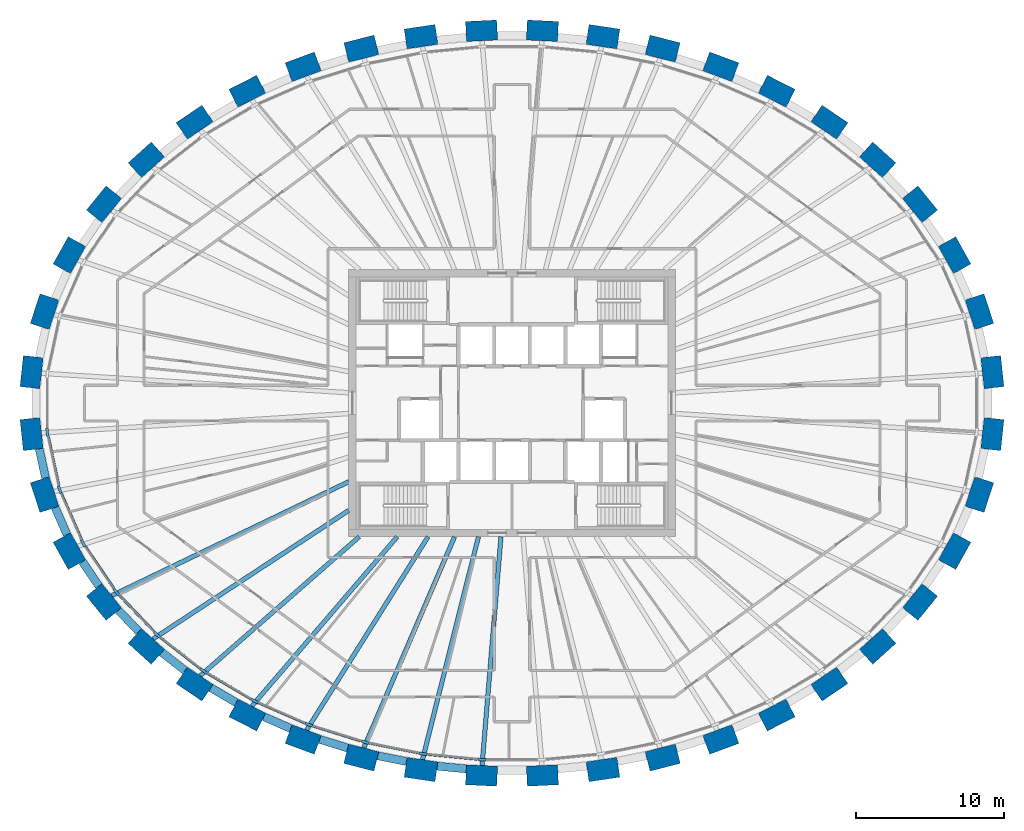
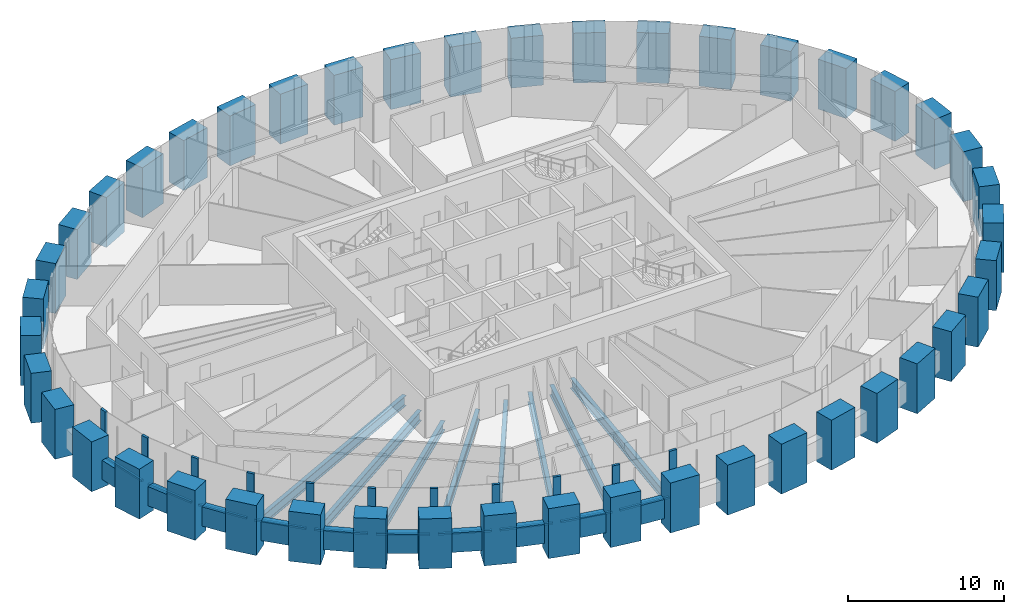
# One storey, part 1 of 12: 44 columns, 21 members, 18 beams, 1 element without a shape of its own.
"""IFC4 building model written with IfcOpenShell, lengths in metres."""

from ifc_helpers import new_model, si_unit, direction, frame, origin, origin_2d, place, context, subcontext, project, spatial, rectangle, i_section, extrude, source, transform, mapped, material, material_profile, profile_set, type_object, element, aggregate, save


model = new_model("IFC4")

# Units and contexts
model_context = context("Model", 3, precision=1e-05, world=origin(), true_north=direction((0.0, 1.0)))
body_context = subcontext(model_context, "Body", "Model", "MODEL_VIEW")
ifc_project = project(units=[si_unit("LENGTHUNIT", "METRE"), si_unit("AREAUNIT", "SQUARE_METRE"), si_unit("VOLUMEUNIT", "CUBIC_METRE"), si_unit("PLANEANGLEUNIT", "RADIAN"), si_unit("MASSUNIT", "GRAM", prefix="KILO")], contexts=[model_context])

# Site, building, storey
site_placement = place(None, origin())
site = spatial("IfcSite", under=ifc_project, at=site_placement, CompositionType="ELEMENT")
building_placement = place(site_placement, origin())
building = spatial("IfcBuilding", under=site, at=building_placement, Name="Embergate Tower", CompositionType="ELEMENT")
storey_placement = place(building_placement, frame((0.0, 0.0, 269.5)))
storey = spatial("IfcBuildingStorey", under=building, at=storey_placement, Name="L62", CompositionType="ELEMENT", Elevation=269.5)

# Columns
ifc_material_1 = material(Name="Concrete C60", Category="concrete")
ifc_material_profile_1 = material_profile(ifc_material_1, rectangle(XDim=1.35009765625, YDim=2.10009765625, at=origin_2d()), Name="RC 1350x2100")
ifc_profile_set_1 = profile_set([ifc_material_profile_1], Name="Concrete C60")
column_type = type_object("IfcColumnType", Name="Ring column RC 1350x2100 C60", PredefinedType="COLUMN", material=ifc_profile_set_1)
shared_shape_1 = source(origin(), body_context, "Body", "SweptSolid", [
    extrude(rectangle(XDim=1.35009765625, YDim=2.10009765625, at=origin_2d()), origin(), (0.0, 0.0, 1.0), 3.89990234375),
])
for number, where, z_axis, x_axis, name in (
    (1, (32.360107421875, 2.0849609375, -1.39990234375), (0.0, 0.0, 1.0), (0.99428589498, 0.106749983816, 0.0), "COL-L62-00"),
    (2, (31.48388671875, 6.158935546875, -1.39990234375), (0.0, 0.0, 1.0), (0.950754033697, 0.309946394413, 0.0), "COL-L62-01"),
    (3, (29.81396484375, 9.966064453125, -1.39990234375), (0.0, 0.0, 1.0), (0.873491969053, 0.486838556403, 0.0), "COL-L62-02"),
    (4, (27.48291015625, 13.39501953125, -1.39990234375), (0.0, 0.0, 1.0), (0.775914301615, 0.630838328377, 0.0), "COL-L62-03"),
    (5, (24.6298828125, 16.386962890625, -1.39990234375), (0.0, 0.0, 1.0), (0.669208424634, 0.74307475021, 0.0), "COL-L62-04"),
    (6, (21.37890625, 18.924072265625, -1.39990234375), (0.0, 0.0, 1.0), (0.560393279442, 0.828226643109, 0.0), "COL-L62-05"),
    (7, (17.8310546875, 21.010009765625, -1.39990234375), (0.0, 0.0, 1.0), (0.452994952881, 0.891513080478, 0.0), "COL-L62-06"),
    (8, (14.06689453125, 22.656005859375, -1.39990234375), (0.0, 0.0, 1.0), (0.348343015724, 0.93736713373, 0.0), "COL-L62-07"),
    (9, (10.14892578125, 23.876953125, -1.39990234375), (0.0, 0.0, 1.0), (0.246491603437, 0.969144926951, 0.0), "COL-L62-08"),
    (10, (6.1279296875, 24.68310546875, -1.39990234375), (0.0, 0.0, 1.0), (0.146929011949, 0.989147039346, 0.0), "COL-L62-09"),
    (11, (2.049072265625, 25.083984375, -1.39990234375), (0.0, 0.0, 1.0), (0.048814904854, 0.998807841912, 0.0), "COL-L62-10"),
    (12, (-2.049072265625, 25.083984375, -1.39990234375), (0.0, 0.0, 1.0), (-0.048814904854, 0.998807841912, 0.0), "COL-L62-11"),
    (13, (-6.1279296875, 24.68310546875, -1.39990234375), (0.0, 0.0, 1.0), (-0.146929011949, 0.989147039346, 0.0), "COL-L62-12"),
    (14, (-10.14892578125, 23.876953125, -1.39990234375), (0.0, 0.0, 1.0), (-0.246491603437, 0.969144926951, 0.0), "COL-L62-13"),
    (15, (-14.06689453125, 22.656005859375, -1.39990234375), (0.0, 0.0, 1.0), (-0.348343015724, 0.93736713373, 0.0), "COL-L62-14"),
    (16, (-17.8310546875, 21.010009765625, -1.39990234375), (0.0, 0.0, 1.0), (-0.452994952881, 0.891513080478, 0.0), "COL-L62-15"),
    (17, (-21.37890625, 18.924072265625, -1.39990234375), (0.0, 0.0, 1.0), (-0.560393279442, 0.828226643109, 0.0), "COL-L62-16"),
    (18, (-24.6298828125, 16.386962890625, -1.39990234375), (0.0, 0.0, 1.0), (-0.669208424634, 0.74307475021, 0.0), "COL-L62-17"),
    (19, (-27.48291015625, 13.39501953125, -1.39990234375), (0.0, 0.0, 1.0), (-0.775914301615, 0.630838328377, 0.0), "COL-L62-18"),
    (20, (-29.81396484375, 9.966064453125, -1.39990234375), (0.0, 0.0, 1.0), (-0.873491969053, 0.486838556403, 0.0), "COL-L62-19"),
    (21, (-31.48388671875, 6.158935546875, -1.39990234375), (0.0, 0.0, 1.0), (-0.950754033697, 0.309946394413, 0.0), "COL-L62-20"),
    (22, (-32.360107421875, 2.0849609375, -1.39990234375), (0.0, 0.0, 1.0), (-0.99428589498, 0.106749983816, 0.0), "COL-L62-21"),
    (23, (-32.360107421875, -2.0849609375, -1.39990234375), (0.0, 0.0, 1.0), (-0.99428589498, -0.106749983816, 0.0), "COL-L62-22"),
    (24, (-31.48388671875, -6.158935546875, -1.39990234375), (0.0, 0.0, 1.0), (-0.950754033697, -0.309946394413, 0.0), "COL-L62-23"),
    (25, (-29.81396484375, -9.966064453125, -1.39990234375), (0.0, 0.0, 1.0), (-0.873491969053, -0.486838556403, 0.0), "COL-L62-24"),
    (26, (-27.48291015625, -13.39501953125, -1.39990234375), (0.0, 0.0, 1.0), (-0.775914301615, -0.630838328377, 0.0), "COL-L62-25"),
    (27, (-24.6298828125, -16.386962890625, -1.39990234375), (0.0, 0.0, 1.0), (-0.669208424634, -0.74307475021, 0.0), "COL-L62-26"),
    (28, (-21.37890625, -18.924072265625, -1.39990234375), (0.0, 0.0, 1.0), (-0.560393279442, -0.828226643109, 0.0), "COL-L62-27"),
    (29, (-17.8310546875, -21.010009765625, -1.39990234375), (0.0, 0.0, 1.0), (-0.452994952881, -0.891513080478, 0.0), "COL-L62-28"),
    (30, (-14.06689453125, -22.656005859375, -1.39990234375), (0.0, 0.0, 1.0), (-0.348343015724, -0.93736713373, 0.0), "COL-L62-29"),
    (31, (-10.14892578125, -23.876953125, -1.39990234375), (0.0, 0.0, 1.0), (-0.246491603437, -0.969144926951, 0.0), "COL-L62-30"),
    (32, (-6.1279296875, -24.68310546875, -1.39990234375), (0.0, 0.0, 1.0), (-0.146929011949, -0.989147039346, 0.0), "COL-L62-31"),
    (33, (-2.049072265625, -25.083984375, -1.39990234375), (0.0, 0.0, 1.0), (-0.048814904854, -0.998807841912, 0.0), "COL-L62-32"),
    (34, (2.049072265625, -25.083984375, -1.39990234375), (0.0, 0.0, 1.0), (0.048814904854, -0.998807841912, 0.0), "COL-L62-33"),
    (35, (6.1279296875, -24.68310546875, -1.39990234375), (0.0, 0.0, 1.0), (0.146929011949, -0.989147039346, 0.0), "COL-L62-34"),
    (36, (10.14892578125, -23.876953125, -1.39990234375), (0.0, 0.0, 1.0), (0.246491603437, -0.969144926951, 0.0), "COL-L62-35"),
    (37, (14.06689453125, -22.656005859375, -1.39990234375), (0.0, 0.0, 1.0), (0.348343015724, -0.93736713373, 0.0), "COL-L62-36"),
    (38, (17.8310546875, -21.010009765625, -1.39990234375), (0.0, 0.0, 1.0), (0.452994952881, -0.891513080478, 0.0), "COL-L62-37"),
    (39, (21.37890625, -18.924072265625, -1.39990234375), (0.0, 0.0, 1.0), (0.560393279442, -0.828226643109, 0.0), "COL-L62-38"),
    (40, (24.6298828125, -16.386962890625, -1.39990234375), (0.0, 0.0, 1.0), (0.669208424634, -0.74307475021, 0.0), "COL-L62-39"),
    (41, (27.48291015625, -13.39501953125, -1.39990234375), (0.0, 0.0, 1.0), (0.775914301615, -0.630838328377, 0.0), "COL-L62-40"),
    (42, (29.81396484375, -9.966064453125, -1.39990234375), (0.0, 0.0, 1.0), (0.873491969053, -0.486838556403, 0.0), "COL-L62-41"),
    (43, (31.48388671875, -6.158935546875, -1.39990234375), (0.0, 0.0, 1.0), (0.950754033697, -0.309946394413, 0.0), "COL-L62-42"),
    (44, (32.360107421875, -2.0849609375, -1.39990234375), (0.0, 0.0, 1.0), (0.99428589498, -0.106749983816, 0.0), "COL-L62-43"),
):
    element("IfcColumn", number, at=place(storey_placement, frame(where, z_axis=z_axis, x_axis=x_axis)), inside=storey, type_object=column_type, Name=name, PredefinedType="COLUMN", context=body_context, shape_type="MappedRepresentation", body=[
        mapped(shared_shape_1, transform((0.0, 0.0, 0.0))),
    ])

# Beams
ifc_material_profile_2 = material_profile(ifc_material_1, rectangle(XDim=0.550048828125, YDim=1.5, at=origin_2d()), Name="RC 550x1500")
ifc_profile_set_2 = profile_set([ifc_material_profile_2], Name="Concrete C60")
beam_type_1 = type_object("IfcBeamType", Name="Spandrel beam RC 550x1500 C60", PredefinedType="BEAM", material=ifc_profile_set_2)
shared_shape_2 = source(origin(), body_context, "Body", "SweptSolid", [
    extrude(rectangle(XDim=0.550048828125, YDim=1.5, at=origin_2d()), origin(), (0.0, 0.0, 1.0), 1.994384765625),
])
beam_1_placement = place(storey_placement, frame((-31.842041015625, -3.0849609375, 0.0), z_axis=(0.210055720301, -0.977689416108, 0.0), x_axis=(0.977689416108, 0.210055720301, 0.0)))
element("IfcBeam", 45, at=beam_1_placement, inside=storey, type_object=beam_type_1, Name="SPN-L62-22", PredefinedType="BEAM", context=body_context, shape_type="MappedRepresentation", body=[
    mapped(shared_shape_2, transform((0.0, 0.0, 0.0))),
])
shared_shape_3 = source(origin(), body_context, "Body", "SweptSolid", [
    extrude(rectangle(XDim=0.550048828125, YDim=1.5, at=origin_2d()), origin(), (0.0, 0.0, 1.0), 1.989990234375),
])
beam_2_placement = place(storey_placement, frame((-30.777099609375, -7.032958984375, 0.0), z_axis=(0.402047764255, -0.915618695341, 0.0), x_axis=(0.915618695341, 0.402047764255, 0.0)))
element("IfcBeam", 46, at=beam_2_placement, inside=storey, type_object=beam_type_1, Name="SPN-L62-23", PredefinedType="BEAM", context=body_context, shape_type="MappedRepresentation", body=[
    mapped(shared_shape_3, transform((0.0, 0.0, 0.0))),
])
shared_shape_4 = source(origin(), body_context, "Body", "SweptSolid", [
    extrude(rectangle(XDim=0.550048828125, YDim=1.5, at=origin_2d()), origin(), (0.0, 0.0, 1.0), 1.982421875),
])
beam_3_placement = place(storey_placement, frame((-28.943115234375, -10.68310546875, 0.0), z_axis=(0.56257611142, -0.82674549824, 0.0), x_axis=(0.82674549824, 0.56257611142, 0.0)))
element("IfcBeam", 47, at=beam_3_placement, inside=storey, type_object=beam_type_1, Name="SPN-L62-24", PredefinedType="BEAM", context=body_context, shape_type="MappedRepresentation", body=[
    mapped(shared_shape_4, transform((0.0, 0.0, 0.0))),
])
shared_shape_5 = source(origin(), body_context, "Body", "SweptSolid", [
    extrude(rectangle(XDim=0.550048828125, YDim=1.5, at=origin_2d()), origin(), (0.0, 0.0, 1.0), 1.97900390625),
])
beam_4_placement = place(storey_placement, frame((-26.509033203125, -13.9560546875, 0.0), z_axis=(0.690255649164, -0.723565573253, 0.0), x_axis=(0.723565573253, 0.690255649164, 0.0)))
element("IfcBeam", 48, at=beam_4_placement, inside=storey, type_object=beam_type_1, Name="SPN-L62-25", PredefinedType="BEAM", context=body_context, shape_type="MappedRepresentation", body=[
    mapped(shared_shape_5, transform((0.0, 0.0, 0.0))),
])
shared_shape_6 = source(origin(), body_context, "Body", "SweptSolid", [
    extrude(rectangle(XDim=0.550048828125, YDim=1.5, at=origin_2d()), origin(), (0.0, 0.0, 1.0), 1.974853515625),
])
beam_5_placement = place(storey_placement, frame((-23.5869140625, -16.797119140625, 0.0), z_axis=(0.788385979859, -0.61518090572, 0.0), x_axis=(0.61518090572, 0.788385979859, 0.0)))
element("IfcBeam", 49, at=beam_5_placement, inside=storey, type_object=beam_type_1, Name="SPN-L62-26", PredefinedType="BEAM", context=body_context, shape_type="MappedRepresentation", body=[
    mapped(shared_shape_6, transform((0.0, 0.0, 0.0))),
])
shared_shape_7 = source(origin(), body_context, "Body", "SweptSolid", [
    extrude(rectangle(XDim=0.550048828125, YDim=1.5, at=origin_2d()), origin(), (0.0, 0.0, 1.0), 1.969482421875),
])
beam_6_placement = place(storey_placement, frame((-20.281982421875, -19.176025390625, 0.0), z_axis=(0.862106236571, -0.506727576578, 0.0), x_axis=(0.506727576578, 0.862106236571, 0.0)))
element("IfcBeam", 50, at=beam_6_placement, inside=storey, type_object=beam_type_1, Name="SPN-L62-27", PredefinedType="BEAM", context=body_context, shape_type="MappedRepresentation", body=[
    mapped(shared_shape_7, transform((0.0, 0.0, 0.0))),
])
shared_shape_8 = source(origin(), body_context, "Body", "SweptSolid", [
    extrude(rectangle(XDim=0.550048828125, YDim=1.5, at=origin_2d()), origin(), (0.0, 0.0, 1.0), 1.96630859375),
])
beam_7_placement = place(storey_placement, frame((-16.714111328125, -21.12890625, 0.0), z_axis=(0.916393681964, -0.400278177842, 0.0), x_axis=(0.400278177842, 0.916393681964, 0.0)))
element("IfcBeam", 51, at=beam_7_placement, inside=storey, type_object=beam_type_1, Name="SPN-L62-28", PredefinedType="BEAM", context=body_context, shape_type="MappedRepresentation", body=[
    mapped(shared_shape_8, transform((0.0, 0.0, 0.0))),
])
shared_shape_9 = source(origin(), body_context, "Body", "SweptSolid", [
    extrude(rectangle(XDim=0.550048828125, YDim=1.5, at=origin_2d()), origin(), (0.0, 0.0, 1.0), 1.96484375),
])
beam_8_placement = place(storey_placement, frame((-12.945068359375, -22.65087890625, 0.0), z_axis=(0.954771364399, -0.297340951979, 0.0), x_axis=(0.297340951979, 0.954771364399, 0.0)))
element("IfcBeam", 52, at=beam_8_placement, inside=storey, type_object=beam_type_1, Name="SPN-L62-29", PredefinedType="BEAM", context=body_context, shape_type="MappedRepresentation", body=[
    mapped(shared_shape_9, transform((0.0, 0.0, 0.0))),
])
shared_shape_10 = source(origin(), body_context, "Body", "SweptSolid", [
    extrude(rectangle(XDim=0.550048828125, YDim=1.5, at=origin_2d()), origin(), (0.0, 0.0, 1.0), 1.963134765625),
])
beam_9_placement = place(storey_placement, frame((-9.033935546875, -23.7548828125, 0.0), z_axis=(0.980580675691, -0.196116135138, 0.0), x_axis=(0.196116135138, 0.980580675691, 0.0)))
element("IfcBeam", 53, at=beam_9_placement, inside=storey, type_object=beam_type_1, Name="SPN-L62-30", PredefinedType="BEAM", context=body_context, shape_type="MappedRepresentation", body=[
    mapped(shared_shape_10, transform((0.0, 0.0, 0.0))),
])
shared_shape_11 = source(origin(), body_context, "Body", "SweptSolid", [
    extrude(rectangle(XDim=0.550048828125, YDim=1.5, at=origin_2d()), origin(), (0.0, 0.0, 1.0), 1.96240234375),
])
beam_10_placement = place(storey_placement, frame((-5.031982421875, -24.449951171875, 0.0), z_axis=(0.99519482752, -0.097914530474, 0.0), x_axis=(0.097914530474, 0.99519482752, 0.0)))
element("IfcBeam", 54, at=beam_10_placement, inside=storey, type_object=beam_type_1, Name="SPN-L62-31", PredefinedType="BEAM", context=body_context, shape_type="MappedRepresentation", body=[
    mapped(shared_shape_11, transform((0.0, 0.0, 0.0))),
])
ifc_material_2 = material(Name="Steel Q355B", Category="steel")
ifc_material_profile_3 = material_profile(ifc_material_2, i_section(OverallWidth=0.300048828125, OverallDepth=0.800048828125, WebThickness=0.013916015625, FlangeThickness=0.02587890625, FilletRadius=0.028076171875, at=origin_2d()), Name="HN 800x300x14x26")
ifc_profile_set_3 = profile_set([ifc_material_profile_3], Name="Steel Q355 grade B")
beam_type_2 = type_object("IfcBeamType", Name="Radial girder HN 800x300x14x26", PredefinedType="BEAM", material=ifc_profile_set_3)
shared_shape_12 = source(origin(), body_context, "Body", "SweptSolid", [
    extrude(i_section(OverallWidth=0.300048828125, OverallDepth=0.800048828125, WebThickness=0.013916015625, FlangeThickness=0.02587890625, FilletRadius=0.028076171875, at=origin_2d()), origin(), (0.0, 0.0, 1.0), 17.70947265625),
])
beam_11_placement = place(storey_placement, frame((-26.958984375, -12.968994140625, -0.60009765625), z_axis=(0.901155084862, 0.433496843157, 0.0), x_axis=(-0.433496843157, 0.901155084862, 0.0)))
element("IfcBeam", 55, at=beam_11_placement, inside=storey, type_object=beam_type_2, Name="GIR-L62-25", PredefinedType="BEAM", context=body_context, shape_type="MappedRepresentation", body=[
    mapped(shared_shape_12, transform((0.0, 0.0, 0.0))),
])
shared_shape_13 = source(origin(), body_context, "Body", "SweptSolid", [
    extrude(i_section(OverallWidth=0.300048828125, OverallDepth=0.800048828125, WebThickness=0.013916015625, FlangeThickness=0.02587890625, FilletRadius=0.028076171875, at=origin_2d()), origin(), (0.0, 0.0, 1.0), 15.767578125),
])
beam_12_placement = place(storey_placement, frame((-24.177978515625, -15.885009765625, -0.60009765625), z_axis=(0.835759482959, 0.549095698986, 0.0), x_axis=(-0.549095698986, 0.835759482959, 0.0)))
element("IfcBeam", 56, at=beam_12_placement, inside=storey, type_object=beam_type_2, Name="GIR-L62-26", PredefinedType="BEAM", context=body_context, shape_type="MappedRepresentation", body=[
    mapped(shared_shape_13, transform((0.0, 0.0, 0.0))),
])
ifc_material_profile_4 = material_profile(ifc_material_2, i_section(OverallWidth=0.300048828125, OverallDepth=0.699951171875, WebThickness=0.012939453125, FlangeThickness=0.02392578125, FilletRadius=0.01806640625, at=origin_2d()), Name="HN 700x300x13x24")
ifc_profile_set_4 = profile_set([ifc_material_profile_4], Name="Steel Q355 grade B")
beam_type_3 = type_object("IfcBeamType", Name="Radial girder HN 700x300x13x24", PredefinedType="BEAM", material=ifc_profile_set_4)
shared_shape_14 = source(origin(), body_context, "Body", "SweptSolid", [
    extrude(i_section(OverallWidth=0.300048828125, OverallDepth=0.699951171875, WebThickness=0.012939453125, FlangeThickness=0.02392578125, FilletRadius=0.01806640625, at=origin_2d()), origin(), (0.0, 0.0, 1.0), 14.226318359375),
])
beam_13_placement = place(storey_placement, frame((-21.0009765625, -18.364990234375, -0.550048828125), z_axis=(0.752763768185, 0.658290748308, 0.0), x_axis=(-0.658290748308, 0.752763768185, 0.0)))
element("IfcBeam", 57, at=beam_13_placement, inside=storey, type_object=beam_type_3, Name="GIR-L62-27", PredefinedType="BEAM", context=body_context, shape_type="MappedRepresentation", body=[
    mapped(shared_shape_14, transform((0.0, 0.0, 0.0))),
])
shared_shape_15 = source(origin(), body_context, "Body", "SweptSolid", [
    extrude(i_section(OverallWidth=0.300048828125, OverallDepth=0.800048828125, WebThickness=0.013916015625, FlangeThickness=0.02587890625, FilletRadius=0.028076171875, at=origin_2d()), origin(), (0.0, 0.0, 1.0), 15.03662109375),
])
beam_14_placement = place(storey_placement, frame((-17.52490234375, -20.407958984375, -0.60009765625), z_axis=(0.651467693725, 0.758676376351, 0.0), x_axis=(-0.758676376351, 0.651467693725, 0.0)))
element("IfcBeam", 58, at=beam_14_placement, inside=storey, type_object=beam_type_2, Name="GIR-L62-28", PredefinedType="BEAM", context=body_context, shape_type="MappedRepresentation", body=[
    mapped(shared_shape_15, transform((0.0, 0.0, 0.0))),
])
shared_shape_16 = source(origin(), body_context, "Body", "SweptSolid", [
    extrude(i_section(OverallWidth=0.300048828125, OverallDepth=0.800048828125, WebThickness=0.013916015625, FlangeThickness=0.02587890625, FilletRadius=0.028076171875, at=origin_2d()), origin(), (0.0, 0.0, 1.0), 15.37841796875),
])
beam_15_placement = place(storey_placement, frame((-13.83203125, -22.02294921875, -0.60009765625), z_axis=(0.53184995305, 0.84683860767, 0.0), x_axis=(-0.84683860767, 0.53184995305, 0.0)))
element("IfcBeam", 59, at=beam_15_placement, inside=storey, type_object=beam_type_2, Name="GIR-L62-29", PredefinedType="BEAM", context=body_context, shape_type="MappedRepresentation", body=[
    mapped(shared_shape_16, transform((0.0, 0.0, 0.0))),
])
shared_shape_17 = source(origin(), body_context, "Body", "SweptSolid", [
    extrude(i_section(OverallWidth=0.300048828125, OverallDepth=0.800048828125, WebThickness=0.013916015625, FlangeThickness=0.02587890625, FilletRadius=0.028076171875, at=origin_2d()), origin(), (0.0, 0.0, 1.0), 15.4814453125),
])
beam_16_placement = place(storey_placement, frame((-9.98291015625, -23.222900390625, -0.60009765625), z_axis=(0.394927796759, 0.918712161314, 0.0), x_axis=(-0.918712161314, 0.394927796759, 0.0)))
element("IfcBeam", 60, at=beam_16_placement, inside=storey, type_object=beam_type_2, Name="GIR-L62-30", PredefinedType="BEAM", context=body_context, shape_type="MappedRepresentation", body=[
    mapped(shared_shape_17, transform((0.0, 0.0, 0.0))),
])
shared_shape_18 = source(origin(), body_context, "Body", "SweptSolid", [
    extrude(i_section(OverallWidth=0.300048828125, OverallDepth=0.800048828125, WebThickness=0.013916015625, FlangeThickness=0.02587890625, FilletRadius=0.028076171875, at=origin_2d()), origin(), (0.0, 0.0, 1.0), 15.48095703125),
])
beam_17_placement = place(storey_placement, frame((-6.029052734375, -24.014892578125, -0.60009765625), z_axis=(0.243526249663, 0.969894306471, 0.0), x_axis=(-0.969894306471, 0.243526249663, 0.0)))
element("IfcBeam", 61, at=beam_17_placement, inside=storey, type_object=beam_type_2, Name="GIR-L62-31", PredefinedType="BEAM", context=body_context, shape_type="MappedRepresentation", body=[
    mapped(shared_shape_18, transform((0.0, 0.0, 0.0))),
])
shared_shape_19 = source(origin(), body_context, "Body", "SweptSolid", [
    extrude(i_section(OverallWidth=0.300048828125, OverallDepth=0.800048828125, WebThickness=0.013916015625, FlangeThickness=0.02587890625, FilletRadius=0.028076171875, at=origin_2d()), origin(), (0.0, 0.0, 1.0), 15.46240234375),
])
beam_18_placement = place(storey_placement, frame((-2.01611328125, -24.409912109375, -0.60009765625), z_axis=(0.082341147883, 0.99660420196, 0.0), x_axis=(-0.99660420196, 0.082341147883, 0.0)))
element("IfcBeam", 62, at=beam_18_placement, inside=storey, type_object=beam_type_2, Name="GIR-L62-32", PredefinedType="BEAM", context=body_context, shape_type="MappedRepresentation", body=[
    mapped(shared_shape_19, transform((0.0, 0.0, 0.0))),
])

# Curtain wall, members
ifc_material_3 = material(Name="Aluminium and glass", Category="aluminium")
curtain_wall_type = type_object("IfcCurtainWallType", Name="Recessed office glazing", PredefinedType="NOTDEFINED", material=ifc_material_3)
curtain_wall_placement = place(storey_placement, origin())
curtain_wall = element("IfcCurtainWall", 63, at=curtain_wall_placement, inside=storey, type_object=curtain_wall_type, Name="Recessed office glazing ring", ObjectType="RECESSED OFFICE GLAZING", PredefinedType="USERDEFINED")
ifc_material_4 = material(Name="Aluminium, thermally broken", Category="aluminium")
ifc_material_profile_5 = material_profile(ifc_material_4, rectangle(XDim=0.179931640625, YDim=0.52001953125, at=origin_2d()), Name="AL 520x180")
ifc_profile_set_5 = profile_set([ifc_material_profile_5], Name="Aluminium, thermally broken")
member_type_1 = type_object("IfcMemberType", Name="Office mullion", PredefinedType="MULLION", material=ifc_profile_set_5)
shared_shape_20 = source(origin(), body_context, "Body", "SweptSolid", [
    extrude(rectangle(XDim=0.179931640625, YDim=0.52001953125, at=origin_2d()), origin(), (0.0, 0.0, 1.0), 3.699951171875),
])
member_1_placement = place(storey_placement, frame((-31.301513671875, -1.971435546875, 0.0), z_axis=(0.0, 0.0, 1.0), x_axis=(0.994384215926, 0.105830199459, 0.0)))
member_1 = element("IfcMember", 64, at=member_1_placement, type_object=member_type_1, Name="CW mullion 23", PredefinedType="MULLION", context=body_context, shape_type="MappedRepresentation", body=[
    mapped(shared_shape_20, transform((0.0, 0.0, 0.0))),
])
member_2_placement = place(storey_placement, frame((-30.47119140625, -5.82861328125, 0.0), z_axis=(0.0, 0.0, 1.0), x_axis=(0.951492965233, 0.307670500881, 0.0)))
member_2 = element("IfcMember", 65, at=member_2_placement, type_object=member_type_1, Name="CW mullion 24", PredefinedType="MULLION", context=body_context, shape_type="MappedRepresentation", body=[
    mapped(shared_shape_20, transform((0.0, 0.0, 0.0))),
])
member_3_placement = place(storey_placement, frame((-28.8837890625, -9.447998046875, 0.0), z_axis=(0.0, 0.0, 1.0), x_axis=(0.874992601244, 0.484136290489, 0.0)))
member_3 = element("IfcMember", 66, at=member_3_placement, type_object=member_type_1, Name="CW mullion 25", PredefinedType="MULLION", context=body_context, shape_type="MappedRepresentation", body=[
    mapped(shared_shape_20, transform((0.0, 0.0, 0.0))),
])
member_4_placement = place(storey_placement, frame((-26.656494140625, -12.72314453125, 0.0), z_axis=(0.0, 0.0, 1.0), x_axis=(0.777861596203, 0.628435626897, 0.0)))
member_4 = element("IfcMember", 67, at=member_4_placement, type_object=member_type_1, Name="CW mullion 26", PredefinedType="MULLION", context=body_context, shape_type="MappedRepresentation", body=[
    mapped(shared_shape_20, transform((0.0, 0.0, 0.0))),
])
member_5_placement = place(storey_placement, frame((-23.9169921875, -15.595703125, 0.0), z_axis=(0.0, 0.0, 1.0), x_axis=(0.671216184057, 0.741261650337, 0.0)))
member_5 = element("IfcMember", 68, at=member_5_placement, type_object=member_type_1, Name="CW mullion 27", PredefinedType="MULLION", context=body_context, shape_type="MappedRepresentation", body=[
    mapped(shared_shape_20, transform((0.0, 0.0, 0.0))),
])
member_6_placement = place(storey_placement, frame((-20.781982421875, -18.042236328125, 0.0), z_axis=(0.0, 0.0, 1.0), x_axis=(0.562207514921, 0.82699619719, 0.0)))
member_6 = element("IfcMember", 69, at=member_6_placement, type_object=member_type_1, Name="CW mullion 28", PredefinedType="MULLION", context=body_context, shape_type="MappedRepresentation", body=[
    mapped(shared_shape_20, transform((0.0, 0.0, 0.0))),
])
member_7_placement = place(storey_placement, frame((-17.34912109375, -20.060791015625, 0.0), z_axis=(0.0, 0.0, 1.0), x_axis=(0.454503607328, 0.89074489666, 0.0)))
member_7 = element("IfcMember", 70, at=member_7_placement, type_object=member_type_1, Name="CW mullion 29", PredefinedType="MULLION", context=body_context, shape_type="MappedRepresentation", body=[
    mapped(shared_shape_20, transform((0.0, 0.0, 0.0))),
])
member_8_placement = place(storey_placement, frame((-13.69580078125, -21.657958984375, 0.0), z_axis=(0.0, 0.0, 1.0), x_axis=(0.349496141799, 0.936937803094, 0.0)))
member_8 = element("IfcMember", 71, at=member_8_placement, type_object=member_type_1, Name="CW mullion 30", PredefinedType="MULLION", context=body_context, shape_type="MappedRepresentation", body=[
    mapped(shared_shape_20, transform((0.0, 0.0, 0.0))),
])
member_9_placement = place(storey_placement, frame((-9.885986328125, -22.844482421875, 0.0), z_axis=(0.0, 0.0, 1.0), x_axis=(0.24730680803, 0.968937223303, 0.0)))
member_9 = element("IfcMember", 72, at=member_9_placement, type_object=member_type_1, Name="CW mullion 31", PredefinedType="MULLION", context=body_context, shape_type="MappedRepresentation", body=[
    mapped(shared_shape_20, transform((0.0, 0.0, 0.0))),
])
member_10_placement = place(storey_placement, frame((-5.9716796875, -23.629638671875, 0.0), z_axis=(0.0, 0.0, 1.0), x_axis=(0.147408930294, 0.989075632735, 0.0)))
member_10 = element("IfcMember", 73, at=member_10_placement, type_object=member_type_1, Name="CW mullion 32", PredefinedType="MULLION", context=body_context, shape_type="MappedRepresentation", body=[
    mapped(shared_shape_20, transform((0.0, 0.0, 0.0))),
])
member_11_placement = place(storey_placement, frame((-1.9970703125, -24.020263671875, 0.0), z_axis=(0.0, 0.0, 1.0), x_axis=(0.048970053385, 0.998800247232, 0.0)))
member_11 = element("IfcMember", 74, at=member_11_placement, type_object=member_type_1, Name="CW mullion 33", PredefinedType="MULLION", context=body_context, shape_type="MappedRepresentation", body=[
    mapped(shared_shape_20, transform((0.0, 0.0, 0.0))),
])
ifc_material_profile_6 = material_profile(ifc_material_4, rectangle(XDim=0.179931640625, YDim=0.14990234375, at=origin_2d()), Name="AL 150x180")
ifc_profile_set_6 = profile_set([ifc_material_profile_6], Name="Aluminium, thermally broken")
member_type_2 = type_object("IfcMemberType", Name="Office sill transom", PredefinedType="USERDEFINED", material=ifc_profile_set_6)
shared_shape_21 = source(origin(), body_context, "Body", "SweptSolid", [
    extrude(rectangle(XDim=0.179931640625, YDim=0.14990234375, at=origin_2d()), origin(), (0.0, 0.0, 1.0), 3.42529296875),
])
member_12_placement = place(storey_placement, frame((-31.24658203125, -2.2255859375, 0.074951171875), z_axis=(0.210405171299, -0.977614271526, 0.0), x_axis=(0.977614271526, 0.210405171299, 0.0)))
member_12 = element("IfcMember", 75, at=member_12_placement, type_object=member_type_2, Name="CW transom 23.1", ObjectType="TRANSOM", PredefinedType="USERDEFINED", context=body_context, shape_type="MappedRepresentation", body=[
    mapped(shared_shape_21, transform((0.0, 0.0, 0.0))),
])
shared_shape_22 = source(origin(), body_context, "Body", "SweptSolid", [
    extrude(rectangle(XDim=0.179931640625, YDim=0.14990234375, at=origin_2d()), origin(), (0.0, 0.0, 1.0), 3.43212890625),
])
member_13_placement = place(storey_placement, frame((-30.36669921875, -6.066650390625, 0.074951171875), z_axis=(0.401632188585, -0.915801061963, 0.0), x_axis=(0.915801061963, 0.401632188585, 0.0)))
member_13 = element("IfcMember", 76, at=member_13_placement, type_object=member_type_2, Name="CW transom 24.1", ObjectType="TRANSOM", PredefinedType="USERDEFINED", context=body_context, shape_type="MappedRepresentation", body=[
    mapped(shared_shape_22, transform((0.0, 0.0, 0.0))),
])
shared_shape_23 = source(origin(), body_context, "Body", "SweptSolid", [
    extrude(rectangle(XDim=0.179931640625, YDim=0.14990234375, at=origin_2d()), origin(), (0.0, 0.0, 1.0), 3.44091796875),
])
member_14_placement = place(storey_placement, frame((-28.737548828125, -9.662841796875, 0.074951171875), z_axis=(0.562372122954, -0.826884269607, 0.0), x_axis=(0.826884269607, 0.562372122954, 0.0)))
member_14 = element("IfcMember", 77, at=member_14_placement, type_object=member_type_2, Name="CW transom 25.1", ObjectType="TRANSOM", PredefinedType="USERDEFINED", context=body_context, shape_type="MappedRepresentation", body=[
    mapped(shared_shape_23, transform((0.0, 0.0, 0.0))),
])
shared_shape_24 = source(origin(), body_context, "Body", "SweptSolid", [
    extrude(rectangle(XDim=0.179931640625, YDim=0.14990234375, at=origin_2d()), origin(), (0.0, 0.0, 1.0), 3.449462890625),
])
member_15_placement = place(storey_placement, frame((-26.47705078125, -12.9111328125, 0.074951171875), z_axis=(0.690133956855, -0.723681643815, 0.0), x_axis=(0.723681643815, 0.690133956855, 0.0)))
member_15 = element("IfcMember", 78, at=member_15_placement, type_object=member_type_2, Name="CW transom 26.1", ObjectType="TRANSOM", PredefinedType="USERDEFINED", context=body_context, shape_type="MappedRepresentation", body=[
    mapped(shared_shape_24, transform((0.0, 0.0, 0.0))),
])
shared_shape_25 = source(origin(), body_context, "Body", "SweptSolid", [
    extrude(rectangle(XDim=0.179931640625, YDim=0.14990234375, at=origin_2d()), origin(), (0.0, 0.0, 1.0), 3.456787109375),
])
member_16_placement = place(storey_placement, frame((-23.712158203125, -15.755615234375, 0.074951171875), z_axis=(0.788343354806, -0.615235528016, 0.0), x_axis=(0.615235528016, 0.788343354806, 0.0)))
member_16 = element("IfcMember", 79, at=member_16_placement, type_object=member_type_2, Name="CW transom 27.1", ObjectType="TRANSOM", PredefinedType="USERDEFINED", context=body_context, shape_type="MappedRepresentation", body=[
    mapped(shared_shape_25, transform((0.0, 0.0, 0.0))),
])
shared_shape_26 = source(origin(), body_context, "Body", "SweptSolid", [
    extrude(rectangle(XDim=0.179931640625, YDim=0.14990234375, at=origin_2d()), origin(), (0.0, 0.0, 1.0), 3.462646484375),
])
member_17_placement = place(storey_placement, frame((-20.55810546875, -18.174072265625, 0.074951171875), z_axis=(0.862068308193, -0.506792099394, 0.0), x_axis=(0.506792099394, 0.862068308193, 0.0)))
member_17 = element("IfcMember", 80, at=member_17_placement, type_object=member_type_2, Name="CW transom 28.1", ObjectType="TRANSOM", PredefinedType="USERDEFINED", context=body_context, shape_type="MappedRepresentation", body=[
    mapped(shared_shape_26, transform((0.0, 0.0, 0.0))),
])
shared_shape_27 = source(origin(), body_context, "Body", "SweptSolid", [
    extrude(rectangle(XDim=0.179931640625, YDim=0.14990234375, at=origin_2d()), origin(), (0.0, 0.0, 1.0), 3.467041015625),
])
member_18_placement = place(storey_placement, frame((-17.110595703125, -20.164794921875, 0.074951171875), z_axis=(0.916217122843, -0.400682148104, 0.0), x_axis=(0.400682148104, 0.916217122843, 0.0)))
member_18 = element("IfcMember", 81, at=member_18_placement, type_object=member_type_2, Name="CW transom 29.1", ObjectType="TRANSOM", PredefinedType="USERDEFINED", context=body_context, shape_type="MappedRepresentation", body=[
    mapped(shared_shape_27, transform((0.0, 0.0, 0.0))),
])
shared_shape_28 = source(origin(), body_context, "Body", "SweptSolid", [
    extrude(rectangle(XDim=0.179931640625, YDim=0.14990234375, at=origin_2d()), origin(), (0.0, 0.0, 1.0), 3.470458984375),
])
member_19_placement = place(storey_placement, frame((-13.44775390625, -21.7353515625, 0.074951171875), z_axis=(0.954784910088, -0.297297452846, 0.0), x_axis=(0.297297452846, 0.954784910088, 0.0)))
member_19 = element("IfcMember", 82, at=member_19_placement, type_object=member_type_2, Name="CW transom 30.1", ObjectType="TRANSOM", PredefinedType="USERDEFINED", context=body_context, shape_type="MappedRepresentation", body=[
    mapped(shared_shape_28, transform((0.0, 0.0, 0.0))),
])
shared_shape_29 = source(origin(), body_context, "Body", "SweptSolid", [
    extrude(rectangle(XDim=0.179931640625, YDim=0.14990234375, at=origin_2d()), origin(), (0.0, 0.0, 1.0), 3.472412109375),
])
member_20_placement = place(storey_placement, frame((-9.631103515625, -22.8955078125, 0.074951171875), z_axis=(0.980472357372, -0.196656951134, 0.0), x_axis=(0.196656951134, 0.980472357372, 0.0)))
member_20 = element("IfcMember", 83, at=member_20_placement, type_object=member_type_2, Name="CW transom 31.1", ObjectType="TRANSOM", PredefinedType="USERDEFINED", context=body_context, shape_type="MappedRepresentation", body=[
    mapped(shared_shape_29, transform((0.0, 0.0, 0.0))),
])
shared_shape_30 = source(origin(), body_context, "Body", "SweptSolid", [
    extrude(rectangle(XDim=0.179931640625, YDim=0.14990234375, at=origin_2d()), origin(), (0.0, 0.0, 1.0), 3.4736328125),
])
member_21_placement = place(storey_placement, frame((-5.712890625, -23.655029296875, 0.074951171875), z_axis=(0.99520279702, -0.0978334953, 0.0), x_axis=(0.0978334953, 0.99520279702, 0.0)))
member_21 = element("IfcMember", 84, at=member_21_placement, type_object=member_type_2, Name="CW transom 32.1", ObjectType="TRANSOM", PredefinedType="USERDEFINED", context=body_context, shape_type="MappedRepresentation", body=[
    mapped(shared_shape_30, transform((0.0, 0.0, 0.0))),
])
aggregate(curtain_wall, [member_1, member_2, member_3, member_4, member_5, member_6, member_7, member_8, member_9, member_10, member_11, member_12, member_13, member_14, member_15, member_16, member_17, member_18, member_19, member_20, member_21])

save(model, "model.ifc")
